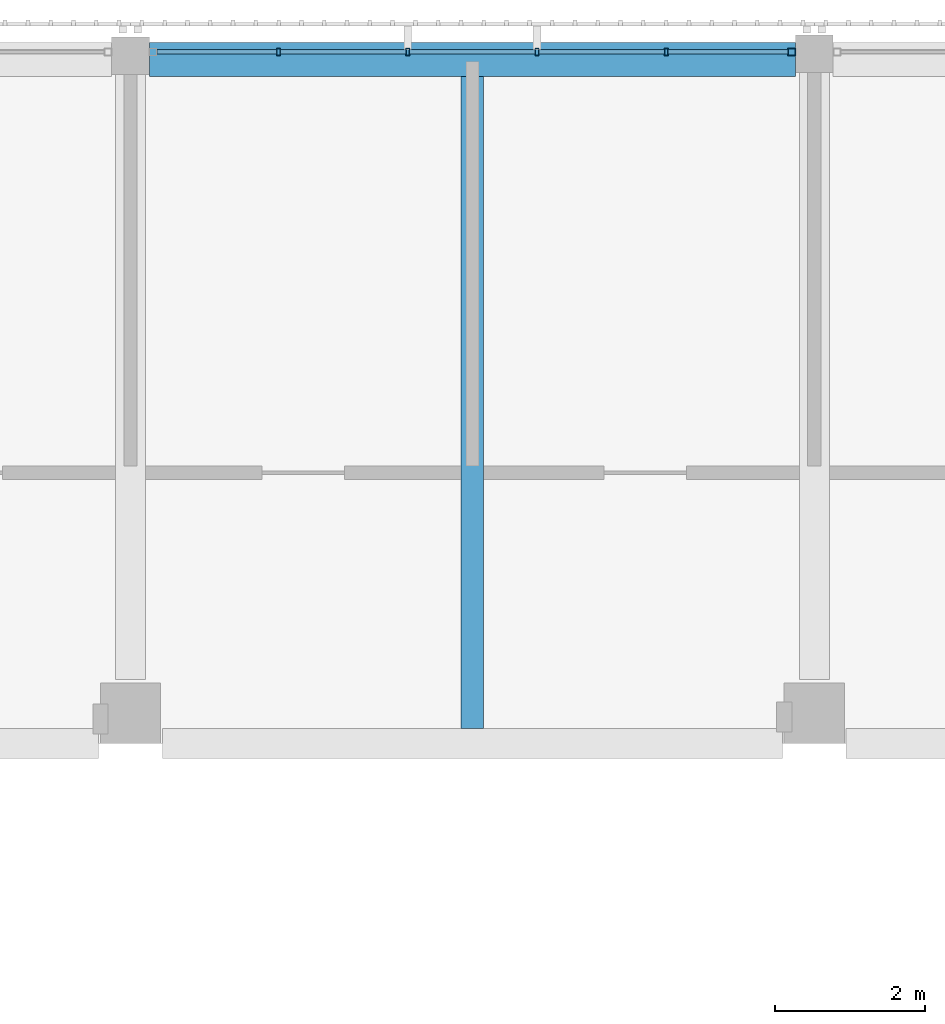
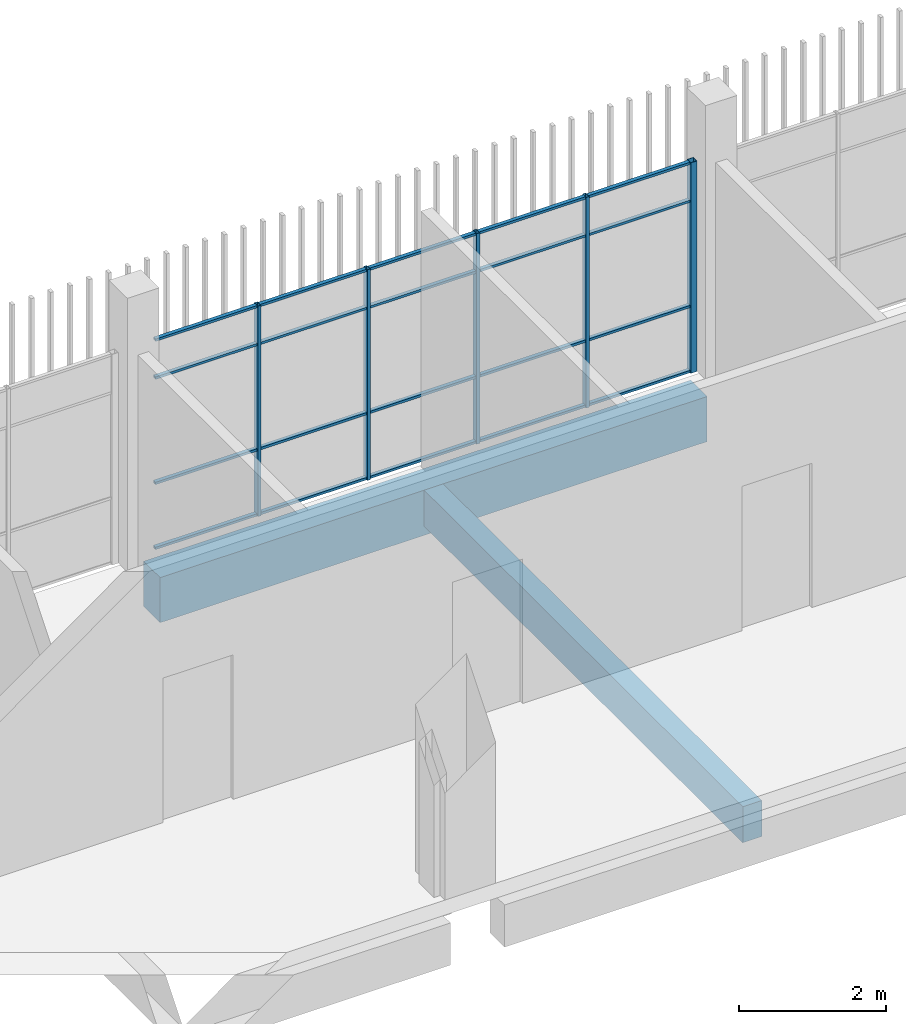
# One storey, part 37 of 124: 25 members, 2 beams, 1 element without a shape of its own.
"""IFC4 building model written with IfcOpenShell, lengths in metres."""

from ifc_helpers import new_model, si_unit, direction, frame, origin, origin_2d, place, context, subcontext, project, spatial, rectangle, hollow_rectangle, extrude, material, layer, layer_set, material_profile, profile_set, type_object, element, aggregate, save


model = new_model("IFC4")

# Units and contexts
model_context = context("Model", 3, precision=1e-05, world=origin(), true_north=direction((0.0, 1.0)))
body_context = subcontext(model_context, "Body", "Model", "MODEL_VIEW")
ifc_project = project(units=[si_unit("LENGTHUNIT", "METRE"), si_unit("AREAUNIT", "SQUARE_METRE"), si_unit("VOLUMEUNIT", "CUBIC_METRE"), si_unit("PLANEANGLEUNIT", "RADIAN"), si_unit("MASSUNIT", "GRAM", prefix="KILO")], contexts=[model_context])

# Site, building, storey
site_placement = place(None, origin())
site = spatial("IfcSite", under=ifc_project, at=site_placement, CompositionType="ELEMENT")
building_placement = place(site_placement, origin())
building = spatial("IfcBuilding", under=site, at=building_placement, Name="Shirokan Park Arena", CompositionType="ELEMENT")
storey_placement = place(building_placement, frame((0.0, 0.0, 20.02001953125)))
storey = spatial("IfcBuildingStorey", under=building, at=storey_placement, Name="L04", CompositionType="ELEMENT", Elevation=20.02001953125)

# Curtain wall, members
ifc_material_1 = material(Name="Steel and glass curtain wall", Category="steel")
ifc_layer = layer(ifc_material_1, 0.10009765625)
ifc_layer_set = layer_set([ifc_layer], Name="Steel and glass curtain wall 100 mm")
curtain_wall_type = type_object("IfcCurtainWallType", Name="Curtain wall sheltered bay 100", PredefinedType="NOTDEFINED", material=ifc_layer_set)
curtain_wall_placement = place(storey_placement, origin())
curtain_wall = element("IfcCurtainWall", 1, at=curtain_wall_placement, inside=storey, type_object=curtain_wall_type, Name="Curtain wall north bay 10 L04", PredefinedType="NOTDEFINED")
ifc_material_2 = material(Name="Steel S355", Category="steel")
ifc_material_profile_1 = material_profile(ifc_material_2, hollow_rectangle(XDim=0.10009765625, YDim=0.10009765625, WallThickness=0.006103515625, at=origin_2d()), Name="RHS 100x100x6")
ifc_profile_set_1 = profile_set([ifc_material_profile_1], Name="Steel S355")
member_type_1 = type_object("IfcMemberType", Name="Mullion RHS 100x100x6", PredefinedType="MULLION", material=ifc_profile_set_1)
member_1_placement = place(storey_placement, frame((63.39990234375, 109.300048828125, 0.0), z_axis=(0.0, 0.0, 1.0), x_axis=(0.0, -1.0, 0.0)))
member_1 = element("IfcMember", 2, at=member_1_placement, type_object=member_type_1, Name="CW2 mullion 1", PredefinedType="MULLION", context=body_context, shape_type="SweptSolid", body=[
    extrude(hollow_rectangle(XDim=0.10009765625, YDim=0.10009765625, WallThickness=0.006103515625, at=origin_2d()), origin(), (0.0, 0.0, 1.0), 3.5),
])
ifc_material_profile_2 = material_profile(ifc_material_2, hollow_rectangle(XDim=0.10009765625, YDim=0.050048828125, WallThickness=0.0048828125, at=origin_2d()), Name="RHS 100x50x5")
ifc_profile_set_2 = profile_set([ifc_material_profile_2], Name="Steel S355")
member_type_2 = type_object("IfcMemberType", Name="Mullion RHS 100x50x5", PredefinedType="MULLION", material=ifc_profile_set_2)
member_2_placement = place(storey_placement, frame((61.72998046875, 109.300048828125, 0.0), z_axis=(0.0, 0.0, 1.0), x_axis=(0.0, -1.0, 0.0)))
member_2 = element("IfcMember", 3, at=member_2_placement, type_object=member_type_2, Name="CW2 mullion 2", PredefinedType="MULLION", context=body_context, shape_type="SweptSolid", body=[
    extrude(hollow_rectangle(XDim=0.10009765625, YDim=0.050048828125, WallThickness=0.0048828125, at=origin_2d()), origin(), (0.0, 0.0, 1.0), 3.5),
])
member_3_placement = place(storey_placement, frame((60.010009765625, 109.300048828125, 0.0), z_axis=(0.0, 0.0, 1.0), x_axis=(0.0, -1.0, 0.0)))
member_3 = element("IfcMember", 4, at=member_3_placement, type_object=member_type_2, Name="CW2 mullion 3", PredefinedType="MULLION", context=body_context, shape_type="SweptSolid", body=[
    extrude(hollow_rectangle(XDim=0.10009765625, YDim=0.050048828125, WallThickness=0.0048828125, at=origin_2d()), origin(), (0.0, 0.0, 1.0), 3.5),
])
member_4_placement = place(storey_placement, frame((58.2900390625, 109.300048828125, 0.0), z_axis=(0.0, 0.0, 1.0), x_axis=(0.0, -1.0, 0.0)))
member_4 = element("IfcMember", 5, at=member_4_placement, type_object=member_type_2, Name="CW2 mullion 4", PredefinedType="MULLION", context=body_context, shape_type="SweptSolid", body=[
    extrude(hollow_rectangle(XDim=0.10009765625, YDim=0.050048828125, WallThickness=0.0048828125, at=origin_2d()), origin(), (0.0, 0.0, 1.0), 3.5),
])
member_5_placement = place(storey_placement, frame((56.570068359375, 109.300048828125, 0.0), z_axis=(0.0, 0.0, 1.0), x_axis=(0.0, -1.0, 0.0)))
member_5 = element("IfcMember", 6, at=member_5_placement, type_object=member_type_2, Name="CW2 mullion 5", PredefinedType="MULLION", context=body_context, shape_type="SweptSolid", body=[
    extrude(hollow_rectangle(XDim=0.10009765625, YDim=0.050048828125, WallThickness=0.0048828125, at=origin_2d()), origin(), (0.0, 0.0, 1.0), 3.5),
])

# Beams
ifc_material_3 = material(Name="Concrete C35", Category="concrete")
ifc_material_profile_3 = material_profile(ifc_material_3, rectangle(XDim=0.449951171875, YDim=0.75, at=origin_2d()), Name="450x750")
ifc_profile_set_3 = profile_set([ifc_material_profile_3], Name="Concrete C35")
beam_type_1 = type_object("IfcBeamType", Name="RC girder 450x750", PredefinedType="BEAM", material=ifc_profile_set_3)
beam_1_placement = place(storey_placement, frame((54.85009765625, 109.199951171875, -0.625), z_axis=(1.0, 0.0, 0.0), x_axis=(0.0, 1.0, 0.0)))
element("IfcBeam", 7, at=beam_1_placement, inside=storey, type_object=beam_type_1, Name="Girder 7N-8N L04", PredefinedType="BEAM", context=body_context, shape_type="SweptSolid", body=[
    extrude(rectangle(XDim=0.449951171875, YDim=0.75, at=origin_2d()), origin(), (0.0, 0.0, 1.0), 8.599853515625),
])
ifc_material_profile_4 = material_profile(ifc_material_3, rectangle(XDim=0.300048828125, YDim=0.60009765625, at=origin_2d()), Name="300x600")
ifc_profile_set_4 = profile_set([ifc_material_profile_4], Name="Concrete C35")
beam_type_2 = type_object("IfcBeamType", Name="RC joist 300x600", PredefinedType="JOIST", material=ifc_profile_set_4)
beam_2_placement = place(storey_placement, frame((59.14990234375, 100.300048828125, -0.550048828125), z_axis=(0.0, 1.0, 0.0), x_axis=(-1.0, 0.0, 0.0)))
element("IfcBeam", 8, at=beam_2_placement, inside=storey, type_object=beam_type_2, Name="Joist 8M L04", PredefinedType="JOIST", context=body_context, shape_type="SweptSolid", body=[
    extrude(rectangle(XDim=0.300048828125, YDim=0.60009765625, at=origin_2d()), origin(), (0.0, 0.0, 1.0), 8.675048828125),
])

# Member
ifc_material_profile_5 = material_profile(ifc_material_2, hollow_rectangle(XDim=0.06005859375, YDim=0.0400390625, WallThickness=0.00390625, at=origin_2d()), Name="RHS 60x40x4")
ifc_profile_set_5 = profile_set([ifc_material_profile_5], Name="Steel S355")
member_type_3 = type_object("IfcMemberType", Name="Transom RHS 60x40x4", PredefinedType="MULLION", material=ifc_profile_set_5)
member_6_placement = place(storey_placement, frame((63.35009765625, 109.300048828125, 0.02001953125), z_axis=(-1.0, 0.0, 0.0), x_axis=(0.0, -1.0, 0.0)))
member_6 = element("IfcMember", 9, at=member_6_placement, type_object=member_type_3, Name="CW2 transom 1.1", PredefinedType="MULLION", context=body_context, shape_type="SweptSolid", body=[
    extrude(hollow_rectangle(XDim=0.06005859375, YDim=0.0400390625, WallThickness=0.00390625, at=origin_2d()), origin(), (0.0, 0.0, 1.0), 1.59521484375),
])

member_7_placement = place(storey_placement, frame((63.35009765625, 109.300048828125, 1.10009765625), z_axis=(-1.0, 0.0, 0.0), x_axis=(0.0, -1.0, 0.0)))
member_7 = element("IfcMember", 10, at=member_7_placement, type_object=member_type_3, Name="CW2 transom 1.2", PredefinedType="MULLION", context=body_context, shape_type="SweptSolid", body=[
    extrude(hollow_rectangle(XDim=0.06005859375, YDim=0.0400390625, WallThickness=0.00390625, at=origin_2d()), origin(), (0.0, 0.0, 1.0), 1.59521484375),
])

member_8_placement = place(storey_placement, frame((63.35009765625, 109.300048828125, 2.85009765625), z_axis=(-1.0, 0.0, 0.0), x_axis=(0.0, -1.0, 0.0)))
member_8 = element("IfcMember", 11, at=member_8_placement, type_object=member_type_3, Name="CW2 transom 1.3", PredefinedType="MULLION", context=body_context, shape_type="SweptSolid", body=[
    extrude(hollow_rectangle(XDim=0.06005859375, YDim=0.0400390625, WallThickness=0.00390625, at=origin_2d()), origin(), (0.0, 0.0, 1.0), 1.59521484375),
])

member_9_placement = place(storey_placement, frame((63.35009765625, 109.300048828125, 3.47998046875), z_axis=(-1.0, 0.0, 0.0), x_axis=(0.0, -1.0, 0.0)))
member_9 = element("IfcMember", 12, at=member_9_placement, type_object=member_type_3, Name="CW2 transom 1.4", PredefinedType="MULLION", context=body_context, shape_type="SweptSolid", body=[
    extrude(hollow_rectangle(XDim=0.06005859375, YDim=0.0400390625, WallThickness=0.00390625, at=origin_2d()), origin(), (0.0, 0.0, 1.0), 1.59521484375),
])

member_10_placement = place(storey_placement, frame((61.705078125, 109.300048828125, 0.02001953125), z_axis=(-1.0, 0.0, 0.0), x_axis=(0.0, -1.0, 0.0)))
member_10 = element("IfcMember", 13, at=member_10_placement, type_object=member_type_3, Name="CW2 transom 2.1", PredefinedType="MULLION", context=body_context, shape_type="SweptSolid", body=[
    extrude(hollow_rectangle(XDim=0.06005859375, YDim=0.0400390625, WallThickness=0.00390625, at=origin_2d()), origin(), (0.0, 0.0, 1.0), 1.670166015625),
])

member_11_placement = place(storey_placement, frame((61.705078125, 109.300048828125, 1.10009765625), z_axis=(-1.0, 0.0, 0.0), x_axis=(0.0, -1.0, 0.0)))
member_11 = element("IfcMember", 14, at=member_11_placement, type_object=member_type_3, Name="CW2 transom 2.2", PredefinedType="MULLION", context=body_context, shape_type="SweptSolid", body=[
    extrude(hollow_rectangle(XDim=0.06005859375, YDim=0.0400390625, WallThickness=0.00390625, at=origin_2d()), origin(), (0.0, 0.0, 1.0), 1.670166015625),
])

member_12_placement = place(storey_placement, frame((61.705078125, 109.300048828125, 2.85009765625), z_axis=(-1.0, 0.0, 0.0), x_axis=(0.0, -1.0, 0.0)))
member_12 = element("IfcMember", 15, at=member_12_placement, type_object=member_type_3, Name="CW2 transom 2.3", PredefinedType="MULLION", context=body_context, shape_type="SweptSolid", body=[
    extrude(hollow_rectangle(XDim=0.06005859375, YDim=0.0400390625, WallThickness=0.00390625, at=origin_2d()), origin(), (0.0, 0.0, 1.0), 1.670166015625),
])

member_13_placement = place(storey_placement, frame((61.705078125, 109.300048828125, 3.47998046875), z_axis=(-1.0, 0.0, 0.0), x_axis=(0.0, -1.0, 0.0)))
member_13 = element("IfcMember", 16, at=member_13_placement, type_object=member_type_3, Name="CW2 transom 2.4", PredefinedType="MULLION", context=body_context, shape_type="SweptSolid", body=[
    extrude(hollow_rectangle(XDim=0.06005859375, YDim=0.0400390625, WallThickness=0.00390625, at=origin_2d()), origin(), (0.0, 0.0, 1.0), 1.670166015625),
])

member_14_placement = place(storey_placement, frame((59.985107421875, 109.300048828125, 0.02001953125), z_axis=(-1.0, 0.0, 0.0), x_axis=(0.0, -1.0, 0.0)))
member_14 = element("IfcMember", 17, at=member_14_placement, type_object=member_type_3, Name="CW2 transom 3.1", PredefinedType="MULLION", context=body_context, shape_type="SweptSolid", body=[
    extrude(hollow_rectangle(XDim=0.06005859375, YDim=0.0400390625, WallThickness=0.00390625, at=origin_2d()), origin(), (0.0, 0.0, 1.0), 1.670166015625),
])

member_15_placement = place(storey_placement, frame((59.985107421875, 109.300048828125, 1.10009765625), z_axis=(-1.0, 0.0, 0.0), x_axis=(0.0, -1.0, 0.0)))
member_15 = element("IfcMember", 18, at=member_15_placement, type_object=member_type_3, Name="CW2 transom 3.2", PredefinedType="MULLION", context=body_context, shape_type="SweptSolid", body=[
    extrude(hollow_rectangle(XDim=0.06005859375, YDim=0.0400390625, WallThickness=0.00390625, at=origin_2d()), origin(), (0.0, 0.0, 1.0), 1.670166015625),
])

member_16_placement = place(storey_placement, frame((59.985107421875, 109.300048828125, 2.85009765625), z_axis=(-1.0, 0.0, 0.0), x_axis=(0.0, -1.0, 0.0)))
member_16 = element("IfcMember", 19, at=member_16_placement, type_object=member_type_3, Name="CW2 transom 3.3", PredefinedType="MULLION", context=body_context, shape_type="SweptSolid", body=[
    extrude(hollow_rectangle(XDim=0.06005859375, YDim=0.0400390625, WallThickness=0.00390625, at=origin_2d()), origin(), (0.0, 0.0, 1.0), 1.670166015625),
])

member_17_placement = place(storey_placement, frame((59.985107421875, 109.300048828125, 3.47998046875), z_axis=(-1.0, 0.0, 0.0), x_axis=(0.0, -1.0, 0.0)))
member_17 = element("IfcMember", 20, at=member_17_placement, type_object=member_type_3, Name="CW2 transom 3.4", PredefinedType="MULLION", context=body_context, shape_type="SweptSolid", body=[
    extrude(hollow_rectangle(XDim=0.06005859375, YDim=0.0400390625, WallThickness=0.00390625, at=origin_2d()), origin(), (0.0, 0.0, 1.0), 1.670166015625),
])

member_18_placement = place(storey_placement, frame((58.264892578125, 109.300048828125, 0.02001953125), z_axis=(-1.0, 0.0, 0.0), x_axis=(0.0, -1.0, 0.0)))
member_18 = element("IfcMember", 21, at=member_18_placement, type_object=member_type_3, Name="CW2 transom 4.1", PredefinedType="MULLION", context=body_context, shape_type="SweptSolid", body=[
    extrude(hollow_rectangle(XDim=0.06005859375, YDim=0.0400390625, WallThickness=0.00390625, at=origin_2d()), origin(), (0.0, 0.0, 1.0), 1.669921875),
])

member_19_placement = place(storey_placement, frame((58.264892578125, 109.300048828125, 1.10009765625), z_axis=(-1.0, 0.0, 0.0), x_axis=(0.0, -1.0, 0.0)))
member_19 = element("IfcMember", 22, at=member_19_placement, type_object=member_type_3, Name="CW2 transom 4.2", PredefinedType="MULLION", context=body_context, shape_type="SweptSolid", body=[
    extrude(hollow_rectangle(XDim=0.06005859375, YDim=0.0400390625, WallThickness=0.00390625, at=origin_2d()), origin(), (0.0, 0.0, 1.0), 1.669921875),
])

member_20_placement = place(storey_placement, frame((58.264892578125, 109.300048828125, 2.85009765625), z_axis=(-1.0, 0.0, 0.0), x_axis=(0.0, -1.0, 0.0)))
member_20 = element("IfcMember", 23, at=member_20_placement, type_object=member_type_3, Name="CW2 transom 4.3", PredefinedType="MULLION", context=body_context, shape_type="SweptSolid", body=[
    extrude(hollow_rectangle(XDim=0.06005859375, YDim=0.0400390625, WallThickness=0.00390625, at=origin_2d()), origin(), (0.0, 0.0, 1.0), 1.669921875),
])

member_21_placement = place(storey_placement, frame((58.264892578125, 109.300048828125, 3.47998046875), z_axis=(-1.0, 0.0, 0.0), x_axis=(0.0, -1.0, 0.0)))
member_21 = element("IfcMember", 24, at=member_21_placement, type_object=member_type_3, Name="CW2 transom 4.4", PredefinedType="MULLION", context=body_context, shape_type="SweptSolid", body=[
    extrude(hollow_rectangle(XDim=0.06005859375, YDim=0.0400390625, WallThickness=0.00390625, at=origin_2d()), origin(), (0.0, 0.0, 1.0), 1.669921875),
])

member_22_placement = place(storey_placement, frame((56.544921875, 109.300048828125, 0.02001953125), z_axis=(-1.0, 0.0, 0.0), x_axis=(0.0, -1.0, 0.0)))
member_22 = element("IfcMember", 25, at=member_22_placement, type_object=member_type_3, Name="CW2 transom 5.1", PredefinedType="MULLION", context=body_context, shape_type="SweptSolid", body=[
    extrude(hollow_rectangle(XDim=0.06005859375, YDim=0.0400390625, WallThickness=0.00390625, at=origin_2d()), origin(), (0.0, 0.0, 1.0), 1.594970703125),
])

member_23_placement = place(storey_placement, frame((56.544921875, 109.300048828125, 1.10009765625), z_axis=(-1.0, 0.0, 0.0), x_axis=(0.0, -1.0, 0.0)))
member_23 = element("IfcMember", 26, at=member_23_placement, type_object=member_type_3, Name="CW2 transom 5.2", PredefinedType="MULLION", context=body_context, shape_type="SweptSolid", body=[
    extrude(hollow_rectangle(XDim=0.06005859375, YDim=0.0400390625, WallThickness=0.00390625, at=origin_2d()), origin(), (0.0, 0.0, 1.0), 1.594970703125),
])

member_24_placement = place(storey_placement, frame((56.544921875, 109.300048828125, 2.85009765625), z_axis=(-1.0, 0.0, 0.0), x_axis=(0.0, -1.0, 0.0)))
member_24 = element("IfcMember", 27, at=member_24_placement, type_object=member_type_3, Name="CW2 transom 5.3", PredefinedType="MULLION", context=body_context, shape_type="SweptSolid", body=[
    extrude(hollow_rectangle(XDim=0.06005859375, YDim=0.0400390625, WallThickness=0.00390625, at=origin_2d()), origin(), (0.0, 0.0, 1.0), 1.594970703125),
])

member_25_placement = place(storey_placement, frame((56.544921875, 109.300048828125, 3.47998046875), z_axis=(-1.0, 0.0, 0.0), x_axis=(0.0, -1.0, 0.0)))
member_25 = element("IfcMember", 28, at=member_25_placement, type_object=member_type_3, Name="CW2 transom 5.4", PredefinedType="MULLION", context=body_context, shape_type="SweptSolid", body=[
    extrude(hollow_rectangle(XDim=0.06005859375, YDim=0.0400390625, WallThickness=0.00390625, at=origin_2d()), origin(), (0.0, 0.0, 1.0), 1.594970703125),
])

aggregate(curtain_wall, [member_1, member_2, member_3, member_4, member_5, member_6, member_7, member_8, member_9, member_10, member_11, member_12, member_13, member_14, member_15, member_16, member_17, member_18, member_19, member_20, member_21, member_22, member_23, member_24, member_25])

save(model, "model.ifc")
